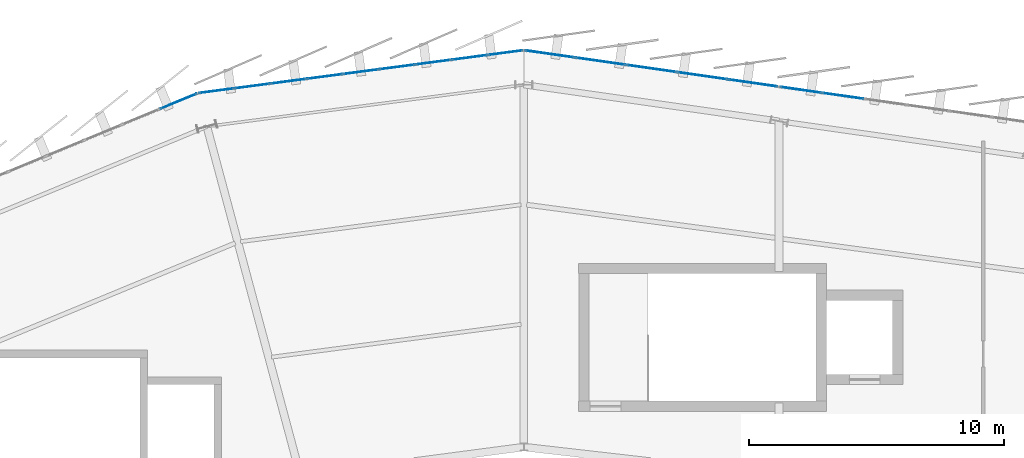
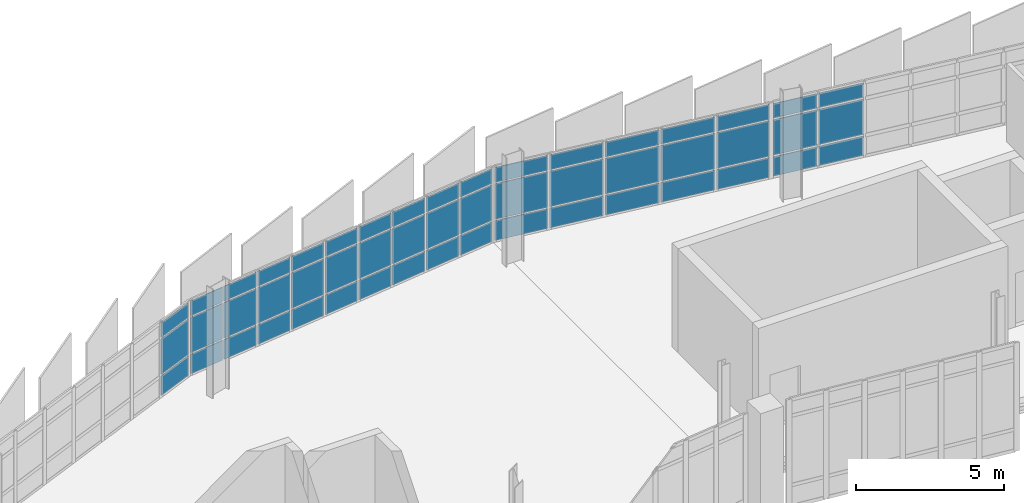
# One storey, part 56 of 67: 51 plates, 4 elements without a shape of their own.
"""IFC4 building model written with IfcOpenShell, lengths in metres."""

from ifc_helpers import new_model, si_unit, direction, frame, origin, origin_2d, place, context, subcontext, project, spatial, rectangle, extrude, material, layer, layer_set, type_object, element, aggregate, save


model = new_model("IFC4")

# Units and contexts
model_context = context("Model", 3, precision=1e-05, world=origin(), true_north=direction((0.0, 1.0)))
body_context = subcontext(model_context, "Body", "Model", "MODEL_VIEW")
ifc_project = project(units=[si_unit("LENGTHUNIT", "METRE"), si_unit("AREAUNIT", "SQUARE_METRE"), si_unit("VOLUMEUNIT", "CUBIC_METRE"), si_unit("PLANEANGLEUNIT", "RADIAN"), si_unit("MASSUNIT", "GRAM", prefix="KILO")], contexts=[model_context])

# Site, building, storey
site_placement = place(None, origin())
site = spatial("IfcSite", under=ifc_project, at=site_placement, CompositionType="ELEMENT")
building_placement = place(site_placement, origin())
building = spatial("IfcBuilding", under=site, at=building_placement, Name="Sohan Crest Arena", CompositionType="ELEMENT")
storey_placement = place(building_placement, frame((0.0, 0.0, 22.5)))
storey = spatial("IfcBuildingStorey", under=building, at=storey_placement, Name="L05", CompositionType="ELEMENT", Elevation=22.5)

# Curtain wall, plates
ifc_material_1 = material(Name="Thermally broken anodised aluminium", Category="aluminium")
ifc_layer_1 = layer(ifc_material_1, 0.179931640625, Name="Thermally broken anodised aluminium")
ifc_layer_set_1 = layer_set([ifc_layer_1], Name="Thermally broken anodised aluminium")
curtain_wall_type_1 = type_object("IfcCurtainWallType", Name="ARC-CW01", PredefinedType="NOTDEFINED", material=ifc_layer_set_1)
curtain_wall_1_placement = place(storey_placement, origin())
curtain_wall_1 = element("IfcCurtainWall", 1, at=curtain_wall_1_placement, inside=storey, type_object=curtain_wall_type_1, Name="Unitised curtain wall CW-146", PredefinedType="NOTDEFINED")
ifc_material_2 = material(Name="Low-E double-glazed insulated glass", Category="glass")
ifc_layer_2 = layer(ifc_material_2, 0.028076171875, Name="Low-E double-glazed insulated glass")
ifc_layer_set_2 = layer_set([ifc_layer_2], Name="Low-E double-glazed insulated glass")
plate_type_1 = type_object("IfcPlateType", Name="ARC-CNP01", PredefinedType="CURTAIN_PANEL", material=ifc_layer_set_2)
plate_1_placement = place(storey_placement, frame((97.275634765625, 127.254638671875, 0.06005859375), z_axis=(0.0, 0.0, 1.0), x_axis=(-0.991440816386, -0.130556913275, 0.0)))
plate_1 = element("IfcPlate", 2, at=plate_1_placement, type_object=plate_type_1, Name="CW-146 panel 1.1", PredefinedType="CURTAIN_PANEL", context=body_context, shape_type="SweptSolid", body=[
    extrude(rectangle(XDim=1.341552734375, YDim=0.028076171875, at=origin_2d()), origin(), (0.0, 0.0, 1.0), 0.81005859375),
])
plate_2_placement = place(storey_placement, frame((97.275634765625, 127.254638671875, 0.929931640625), z_axis=(0.0, 0.0, 1.0), x_axis=(-0.991440816386, -0.130556913275, 0.0)))
plate_2 = element("IfcPlate", 3, at=plate_2_placement, type_object=plate_type_1, Name="CW-146 panel 1.2", PredefinedType="CURTAIN_PANEL", context=body_context, shape_type="SweptSolid", body=[
    extrude(rectangle(XDim=1.341552734375, YDim=0.028076171875, at=origin_2d()), origin(), (0.0, 0.0, 1.0), 1.4599609375),
])
plate_3_placement = place(storey_placement, frame((97.275634765625, 127.254638671875, 2.44970703125), z_axis=(0.0, 0.0, 1.0), x_axis=(-0.991440816386, -0.130556913275, 0.0)))
plate_3 = element("IfcPlate", 4, at=plate_3_placement, type_object=plate_type_1, Name="CW-146 panel 1.3", PredefinedType="CURTAIN_PANEL", context=body_context, shape_type="SweptSolid", body=[
    extrude(rectangle(XDim=1.341552734375, YDim=0.028076171875, at=origin_2d()), origin(), (0.0, 0.0, 1.0), 0.610107421875),
])
plate_4_placement = place(storey_placement, frame((95.87109375, 127.069580078125, 0.06005859375), z_axis=(0.0, 0.0, 1.0), x_axis=(-0.991440816386, -0.130556913275, 0.0)))
plate_4 = element("IfcPlate", 5, at=plate_4_placement, type_object=plate_type_1, Name="CW-146 panel 2.1", PredefinedType="CURTAIN_PANEL", context=body_context, shape_type="SweptSolid", body=[
    extrude(rectangle(XDim=1.37158203125, YDim=0.028076171875, at=origin_2d()), origin(), (0.0, 0.0, 1.0), 0.81005859375),
])
plate_5_placement = place(storey_placement, frame((95.87109375, 127.069580078125, 0.929931640625), z_axis=(0.0, 0.0, 1.0), x_axis=(-0.991440816386, -0.130556913275, 0.0)))
plate_5 = element("IfcPlate", 6, at=plate_5_placement, type_object=plate_type_1, Name="CW-146 panel 2.2", PredefinedType="CURTAIN_PANEL", context=body_context, shape_type="SweptSolid", body=[
    extrude(rectangle(XDim=1.37158203125, YDim=0.028076171875, at=origin_2d()), origin(), (0.0, 0.0, 1.0), 1.4599609375),
])
plate_6_placement = place(storey_placement, frame((95.87109375, 127.069580078125, 2.44970703125), z_axis=(0.0, 0.0, 1.0), x_axis=(-0.991440816386, -0.130556913275, 0.0)))
plate_6 = element("IfcPlate", 7, at=plate_6_placement, type_object=plate_type_1, Name="CW-146 panel 2.3", PredefinedType="CURTAIN_PANEL", context=body_context, shape_type="SweptSolid", body=[
    extrude(rectangle(XDim=1.37158203125, YDim=0.028076171875, at=origin_2d()), origin(), (0.0, 0.0, 1.0), 0.610107421875),
])
plate_7_placement = place(storey_placement, frame((94.451904296875, 126.8828125, 0.06005859375), z_axis=(0.0, 0.0, 1.0), x_axis=(-0.991440816386, -0.130556913275, 0.0)))
plate_7 = element("IfcPlate", 8, at=plate_7_placement, type_object=plate_type_1, Name="CW-146 panel 3.1", PredefinedType="CURTAIN_PANEL", context=body_context, shape_type="SweptSolid", body=[
    extrude(rectangle(XDim=1.37158203125, YDim=0.028076171875, at=origin_2d()), origin(), (0.0, 0.0, 1.0), 0.81005859375),
])
plate_8_placement = place(storey_placement, frame((94.451904296875, 126.8828125, 0.929931640625), z_axis=(0.0, 0.0, 1.0), x_axis=(-0.991440816386, -0.130556913275, 0.0)))
plate_8 = element("IfcPlate", 9, at=plate_8_placement, type_object=plate_type_1, Name="CW-146 panel 3.2", PredefinedType="CURTAIN_PANEL", context=body_context, shape_type="SweptSolid", body=[
    extrude(rectangle(XDim=1.37158203125, YDim=0.028076171875, at=origin_2d()), origin(), (0.0, 0.0, 1.0), 1.4599609375),
])
plate_9_placement = place(storey_placement, frame((94.451904296875, 126.8828125, 2.44970703125), z_axis=(0.0, 0.0, 1.0), x_axis=(-0.991440816386, -0.130556913275, 0.0)))
plate_9 = element("IfcPlate", 10, at=plate_9_placement, type_object=plate_type_1, Name="CW-146 panel 3.3", PredefinedType="CURTAIN_PANEL", context=body_context, shape_type="SweptSolid", body=[
    extrude(rectangle(XDim=1.37158203125, YDim=0.028076171875, at=origin_2d()), origin(), (0.0, 0.0, 1.0), 0.610107421875),
])
plate_10_placement = place(storey_placement, frame((93.03271484375, 126.69580078125, 0.06005859375), z_axis=(0.0, 0.0, 1.0), x_axis=(-0.991440816386, -0.130556913275, 0.0)))
plate_10 = element("IfcPlate", 11, at=plate_10_placement, type_object=plate_type_1, Name="CW-146 panel 4.1", PredefinedType="CURTAIN_PANEL", context=body_context, shape_type="SweptSolid", body=[
    extrude(rectangle(XDim=1.37158203125, YDim=0.028076171875, at=origin_2d()), origin(), (0.0, 0.0, 1.0), 0.81005859375),
])
plate_11_placement = place(storey_placement, frame((93.03271484375, 126.69580078125, 0.929931640625), z_axis=(0.0, 0.0, 1.0), x_axis=(-0.991440816386, -0.130556913275, 0.0)))
plate_11 = element("IfcPlate", 12, at=plate_11_placement, type_object=plate_type_1, Name="CW-146 panel 4.2", PredefinedType="CURTAIN_PANEL", context=body_context, shape_type="SweptSolid", body=[
    extrude(rectangle(XDim=1.37158203125, YDim=0.028076171875, at=origin_2d()), origin(), (0.0, 0.0, 1.0), 1.4599609375),
])
plate_12_placement = place(storey_placement, frame((93.03271484375, 126.69580078125, 2.44970703125), z_axis=(0.0, 0.0, 1.0), x_axis=(-0.991440816386, -0.130556913275, 0.0)))
plate_12 = element("IfcPlate", 13, at=plate_12_placement, type_object=plate_type_1, Name="CW-146 panel 4.3", PredefinedType="CURTAIN_PANEL", context=body_context, shape_type="SweptSolid", body=[
    extrude(rectangle(XDim=1.37158203125, YDim=0.028076171875, at=origin_2d()), origin(), (0.0, 0.0, 1.0), 0.610107421875),
])
plate_13_placement = place(storey_placement, frame((91.613525390625, 126.509033203125, 0.06005859375), z_axis=(0.0, 0.0, 1.0), x_axis=(-0.991440816386, -0.130556913275, 0.0)))
plate_13 = element("IfcPlate", 14, at=plate_13_placement, type_object=plate_type_1, Name="CW-146 panel 5.1", PredefinedType="CURTAIN_PANEL", context=body_context, shape_type="SweptSolid", body=[
    extrude(rectangle(XDim=1.37158203125, YDim=0.028076171875, at=origin_2d()), origin(), (0.0, 0.0, 1.0), 0.81005859375),
])
plate_14_placement = place(storey_placement, frame((91.613525390625, 126.509033203125, 0.929931640625), z_axis=(0.0, 0.0, 1.0), x_axis=(-0.991440816386, -0.130556913275, 0.0)))
plate_14 = element("IfcPlate", 15, at=plate_14_placement, type_object=plate_type_1, Name="CW-146 panel 5.2", PredefinedType="CURTAIN_PANEL", context=body_context, shape_type="SweptSolid", body=[
    extrude(rectangle(XDim=1.37158203125, YDim=0.028076171875, at=origin_2d()), origin(), (0.0, 0.0, 1.0), 1.4599609375),
])
plate_15_placement = place(storey_placement, frame((91.613525390625, 126.509033203125, 2.44970703125), z_axis=(0.0, 0.0, 1.0), x_axis=(-0.991440816386, -0.130556913275, 0.0)))
plate_15 = element("IfcPlate", 16, at=plate_15_placement, type_object=plate_type_1, Name="CW-146 panel 5.3", PredefinedType="CURTAIN_PANEL", context=body_context, shape_type="SweptSolid", body=[
    extrude(rectangle(XDim=1.37158203125, YDim=0.028076171875, at=origin_2d()), origin(), (0.0, 0.0, 1.0), 0.610107421875),
])
plate_16_placement = place(storey_placement, frame((90.1943359375, 126.322021484375, 0.06005859375), z_axis=(0.0, 0.0, 1.0), x_axis=(-0.991440816386, -0.130556913275, 0.0)))
plate_16 = element("IfcPlate", 17, at=plate_16_placement, type_object=plate_type_1, Name="CW-146 panel 6.1", PredefinedType="CURTAIN_PANEL", context=body_context, shape_type="SweptSolid", body=[
    extrude(rectangle(XDim=1.37158203125, YDim=0.028076171875, at=origin_2d()), origin(), (0.0, 0.0, 1.0), 0.81005859375),
])
plate_17_placement = place(storey_placement, frame((90.1943359375, 126.322021484375, 0.929931640625), z_axis=(0.0, 0.0, 1.0), x_axis=(-0.991440816386, -0.130556913275, 0.0)))
plate_17 = element("IfcPlate", 18, at=plate_17_placement, type_object=plate_type_1, Name="CW-146 panel 6.2", PredefinedType="CURTAIN_PANEL", context=body_context, shape_type="SweptSolid", body=[
    extrude(rectangle(XDim=1.37158203125, YDim=0.028076171875, at=origin_2d()), origin(), (0.0, 0.0, 1.0), 1.4599609375),
])
plate_18_placement = place(storey_placement, frame((90.1943359375, 126.322021484375, 2.44970703125), z_axis=(0.0, 0.0, 1.0), x_axis=(-0.991440816386, -0.130556913275, 0.0)))
plate_18 = element("IfcPlate", 19, at=plate_18_placement, type_object=plate_type_1, Name="CW-146 panel 6.3", PredefinedType="CURTAIN_PANEL", context=body_context, shape_type="SweptSolid", body=[
    extrude(rectangle(XDim=1.37158203125, YDim=0.028076171875, at=origin_2d()), origin(), (0.0, 0.0, 1.0), 0.610107421875),
])
plate_19_placement = place(storey_placement, frame((88.775146484375, 126.13525390625, 0.06005859375), z_axis=(0.0, 0.0, 1.0), x_axis=(-0.991440816386, -0.130556913275, 0.0)))
plate_19 = element("IfcPlate", 20, at=plate_19_placement, type_object=plate_type_1, Name="CW-146 panel 7.1", PredefinedType="CURTAIN_PANEL", context=body_context, shape_type="SweptSolid", body=[
    extrude(rectangle(XDim=1.37158203125, YDim=0.028076171875, at=origin_2d()), origin(), (0.0, 0.0, 1.0), 0.81005859375),
])
plate_20_placement = place(storey_placement, frame((88.775146484375, 126.13525390625, 0.929931640625), z_axis=(0.0, 0.0, 1.0), x_axis=(-0.991440816386, -0.130556913275, 0.0)))
plate_20 = element("IfcPlate", 21, at=plate_20_placement, type_object=plate_type_1, Name="CW-146 panel 7.2", PredefinedType="CURTAIN_PANEL", context=body_context, shape_type="SweptSolid", body=[
    extrude(rectangle(XDim=1.37158203125, YDim=0.028076171875, at=origin_2d()), origin(), (0.0, 0.0, 1.0), 1.4599609375),
])
plate_21_placement = place(storey_placement, frame((88.775146484375, 126.13525390625, 2.44970703125), z_axis=(0.0, 0.0, 1.0), x_axis=(-0.991440816386, -0.130556913275, 0.0)))
plate_21 = element("IfcPlate", 22, at=plate_21_placement, type_object=plate_type_1, Name="CW-146 panel 7.3", PredefinedType="CURTAIN_PANEL", context=body_context, shape_type="SweptSolid", body=[
    extrude(rectangle(XDim=1.37158203125, YDim=0.028076171875, at=origin_2d()), origin(), (0.0, 0.0, 1.0), 0.610107421875),
])
plate_22_placement = place(storey_placement, frame((87.355712890625, 125.9482421875, 0.06005859375), z_axis=(0.0, 0.0, 1.0), x_axis=(-0.991440816386, -0.130556913275, 0.0)))
plate_22 = element("IfcPlate", 23, at=plate_22_placement, type_object=plate_type_1, Name="CW-146 panel 8.1", PredefinedType="CURTAIN_PANEL", context=body_context, shape_type="SweptSolid", body=[
    extrude(rectangle(XDim=1.37158203125, YDim=0.028076171875, at=origin_2d()), origin(), (0.0, 0.0, 1.0), 0.81005859375),
])
plate_23_placement = place(storey_placement, frame((87.355712890625, 125.9482421875, 0.929931640625), z_axis=(0.0, 0.0, 1.0), x_axis=(-0.991440816386, -0.130556913275, 0.0)))
plate_23 = element("IfcPlate", 24, at=plate_23_placement, type_object=plate_type_1, Name="CW-146 panel 8.2", PredefinedType="CURTAIN_PANEL", context=body_context, shape_type="SweptSolid", body=[
    extrude(rectangle(XDim=1.37158203125, YDim=0.028076171875, at=origin_2d()), origin(), (0.0, 0.0, 1.0), 1.4599609375),
])
plate_24_placement = place(storey_placement, frame((87.355712890625, 125.9482421875, 2.44970703125), z_axis=(0.0, 0.0, 1.0), x_axis=(-0.991440816386, -0.130556913275, 0.0)))
plate_24 = element("IfcPlate", 25, at=plate_24_placement, type_object=plate_type_1, Name="CW-146 panel 8.3", PredefinedType="CURTAIN_PANEL", context=body_context, shape_type="SweptSolid", body=[
    extrude(rectangle(XDim=1.37158203125, YDim=0.028076171875, at=origin_2d()), origin(), (0.0, 0.0, 1.0), 0.610107421875),
])
plate_25_placement = place(storey_placement, frame((85.951416015625, 125.763427734375, 0.06005859375), z_axis=(0.0, 0.0, 1.0), x_axis=(-0.991440816386, -0.130556913275, 0.0)))
plate_25 = element("IfcPlate", 26, at=plate_25_placement, type_object=plate_type_1, Name="CW-146 panel 9.1", PredefinedType="CURTAIN_PANEL", context=body_context, shape_type="SweptSolid", body=[
    extrude(rectangle(XDim=1.341552734375, YDim=0.028076171875, at=origin_2d()), origin(), (0.0, 0.0, 1.0), 0.81005859375),
])
plate_26_placement = place(storey_placement, frame((85.951416015625, 125.763427734375, 0.929931640625), z_axis=(0.0, 0.0, 1.0), x_axis=(-0.991440816386, -0.130556913275, 0.0)))
plate_26 = element("IfcPlate", 27, at=plate_26_placement, type_object=plate_type_1, Name="CW-146 panel 9.2", PredefinedType="CURTAIN_PANEL", context=body_context, shape_type="SweptSolid", body=[
    extrude(rectangle(XDim=1.341552734375, YDim=0.028076171875, at=origin_2d()), origin(), (0.0, 0.0, 1.0), 1.4599609375),
])
plate_27_placement = place(storey_placement, frame((85.951416015625, 125.763427734375, 2.44970703125), z_axis=(0.0, 0.0, 1.0), x_axis=(-0.991440816386, -0.130556913275, 0.0)))
plate_27 = element("IfcPlate", 28, at=plate_27_placement, type_object=plate_type_1, Name="CW-146 panel 9.3", PredefinedType="CURTAIN_PANEL", context=body_context, shape_type="SweptSolid", body=[
    extrude(rectangle(XDim=1.341552734375, YDim=0.028076171875, at=origin_2d()), origin(), (0.0, 0.0, 1.0), 0.610107421875),
])
aggregate(curtain_wall_1, [plate_1, plate_2, plate_3, plate_4, plate_5, plate_6, plate_7, plate_8, plate_9, plate_10, plate_11, plate_12, plate_13, plate_14, plate_15, plate_16, plate_17, plate_18, plate_19, plate_20, plate_21, plate_22, plate_23, plate_24, plate_25, plate_26, plate_27])

ifc_layer_3 = layer(ifc_material_1, 0.219970703125, Name="Thermally broken anodised aluminium")
ifc_layer_set_3 = layer_set([ifc_layer_3], Name="Thermally broken anodised aluminium")
curtain_wall_type_2 = type_object("IfcCurtainWallType", Name="ARC-CW03", PredefinedType="NOTDEFINED", material=ifc_layer_set_3)
curtain_wall_2_placement = place(storey_placement, origin())
curtain_wall_2 = element("IfcCurtainWall", 29, at=curtain_wall_2_placement, inside=storey, type_object=curtain_wall_type_2, Name="Unitised curtain wall CW-162", PredefinedType="NOTDEFINED")
plate_28_placement = place(storey_placement, frame((110.5, 125.56396484375, 0.070068359375), z_axis=(0.0, 0.0, 1.0), x_axis=(-0.989957411768, 0.141365918403, 0.0)))
plate_28 = element("IfcPlate", 30, at=plate_28_placement, type_object=plate_type_1, Name="CW-162 panel 5.1", PredefinedType="CURTAIN_PANEL", context=body_context, shape_type="SweptSolid", body=[
    extrude(rectangle(XDim=1.62353515625, YDim=0.028076171875, at=origin_2d()), origin(), (0.0, 0.0, 1.0), 0.794921875),
])
plate_29_placement = place(storey_placement, frame((110.5, 125.56396484375, 0.93505859375), z_axis=(0.0, 0.0, 1.0), x_axis=(-0.989957411768, 0.141365918403, 0.0)))
plate_29 = element("IfcPlate", 31, at=plate_29_placement, type_object=plate_type_1, Name="CW-162 panel 5.2", PredefinedType="CURTAIN_PANEL", context=body_context, shape_type="SweptSolid", body=[
    extrude(rectangle(XDim=1.62353515625, YDim=0.028076171875, at=origin_2d()), origin(), (0.0, 0.0, 1.0), 1.449951171875),
])
plate_30_placement = place(storey_placement, frame((110.5, 125.56396484375, 2.455078125), z_axis=(0.0, 0.0, 1.0), x_axis=(-0.989957411768, 0.141365918403, 0.0)))
plate_30 = element("IfcPlate", 32, at=plate_30_placement, type_object=plate_type_1, Name="CW-162 panel 5.3", PredefinedType="CURTAIN_PANEL", context=body_context, shape_type="SweptSolid", body=[
    extrude(rectangle(XDim=1.62353515625, YDim=0.028076171875, at=origin_2d()), origin(), (0.0, 0.0, 1.0), 0.594970703125),
])
plate_31_placement = place(storey_placement, frame((108.84814453125, 125.7998046875, 0.070068359375), z_axis=(0.0, 0.0, 1.0), x_axis=(-0.989957411768, 0.141365918403, 0.0)))
plate_31 = element("IfcPlate", 33, at=plate_31_placement, type_object=plate_type_1, Name="CW-162 panel 6.1", PredefinedType="CURTAIN_PANEL", context=body_context, shape_type="SweptSolid", body=[
    extrude(rectangle(XDim=1.593505859375, YDim=0.028076171875, at=origin_2d()), origin(), (0.0, 0.0, 1.0), 0.794921875),
])
plate_32_placement = place(storey_placement, frame((108.84814453125, 125.7998046875, 0.93505859375), z_axis=(0.0, 0.0, 1.0), x_axis=(-0.989957411768, 0.141365918403, 0.0)))
plate_32 = element("IfcPlate", 34, at=plate_32_placement, type_object=plate_type_1, Name="CW-162 panel 6.2", PredefinedType="CURTAIN_PANEL", context=body_context, shape_type="SweptSolid", body=[
    extrude(rectangle(XDim=1.593505859375, YDim=0.028076171875, at=origin_2d()), origin(), (0.0, 0.0, 1.0), 1.449951171875),
])
plate_33_placement = place(storey_placement, frame((108.84814453125, 125.7998046875, 2.455078125), z_axis=(0.0, 0.0, 1.0), x_axis=(-0.989957411768, 0.141365918403, 0.0)))
plate_33 = element("IfcPlate", 35, at=plate_33_placement, type_object=plate_type_1, Name="CW-162 panel 6.3", PredefinedType="CURTAIN_PANEL", context=body_context, shape_type="SweptSolid", body=[
    extrude(rectangle(XDim=1.593505859375, YDim=0.028076171875, at=origin_2d()), origin(), (0.0, 0.0, 1.0), 0.594970703125),
])
aggregate(curtain_wall_2, [plate_28, plate_29, plate_30, plate_31, plate_32, plate_33])

ifc_layer_4 = layer(ifc_material_1, 0.199951171875, Name="Thermally broken anodised aluminium")
ifc_layer_set_4 = layer_set([ifc_layer_4], Name="Thermally broken anodised aluminium")
curtain_wall_type_3 = type_object("IfcCurtainWallType", Name="ARC-CW02", PredefinedType="NOTDEFINED", material=ifc_layer_set_4)
curtain_wall_3_placement = place(storey_placement, origin())
curtain_wall_3 = element("IfcCurtainWall", 36, at=curtain_wall_3_placement, inside=storey, type_object=curtain_wall_type_3, Name="Unitised curtain wall CW-147", PredefinedType="NOTDEFINED")
ifc_layer_5 = layer(ifc_material_2, 0.031982421875, Name="Low-E double-glazed insulated glass")
ifc_layer_set_5 = layer_set([ifc_layer_5], Name="Low-E double-glazed insulated glass")
plate_type_2 = type_object("IfcPlateType", Name="ARC-CNP02", PredefinedType="CURTAIN_PANEL", material=ifc_layer_set_5)
plate_34_placement = place(storey_placement, frame((84.468017578125, 125.353759765625, 0.06494140625), z_axis=(0.0, 0.0, 1.0), x_axis=(-0.923878704229, -0.382685432009, 0.0)))
plate_34 = element("IfcPlate", 37, at=plate_34_placement, type_object=plate_type_2, Name="CW-147 panel 1.1", PredefinedType="CURTAIN_PANEL", context=body_context, shape_type="SweptSolid", body=[
    extrude(rectangle(XDim=1.512939453125, YDim=0.031982421875, at=origin_2d()), origin(), (0.0, 0.0, 1.0), 0.802490234375),
])
plate_35_placement = place(storey_placement, frame((84.468017578125, 125.353759765625, 0.932373046875), z_axis=(0.0, 0.0, 1.0), x_axis=(-0.923878704229, -0.382685432009, 0.0)))
plate_35 = element("IfcPlate", 38, at=plate_35_placement, type_object=plate_type_2, Name="CW-147 panel 1.2", PredefinedType="CURTAIN_PANEL", context=body_context, shape_type="SweptSolid", body=[
    extrude(rectangle(XDim=1.512939453125, YDim=0.031982421875, at=origin_2d()), origin(), (0.0, 0.0, 1.0), 1.455078125),
])
plate_36_placement = place(storey_placement, frame((84.468017578125, 125.353759765625, 2.452392578125), z_axis=(0.0, 0.0, 1.0), x_axis=(-0.923878704229, -0.382685432009, 0.0)))
plate_36 = element("IfcPlate", 39, at=plate_36_placement, type_object=plate_type_2, Name="CW-147 panel 1.3", PredefinedType="CURTAIN_PANEL", context=body_context, shape_type="SweptSolid", body=[
    extrude(rectangle(XDim=1.512939453125, YDim=0.031982421875, at=origin_2d()), origin(), (0.0, 0.0, 1.0), 0.6025390625),
])
aggregate(curtain_wall_3, [plate_34, plate_35, plate_36])

ifc_layer_6 = layer(ifc_material_1, 0.239990234375, Name="Thermally broken anodised aluminium")
ifc_layer_set_6 = layer_set([ifc_layer_6], Name="Thermally broken anodised aluminium")
curtain_wall_type_4 = type_object("IfcCurtainWallType", Name="ARC-CW04", PredefinedType="NOTDEFINED", material=ifc_layer_set_6)
curtain_wall_4_placement = place(storey_placement, origin())
curtain_wall_4 = element("IfcCurtainWall", 40, at=curtain_wall_4_placement, inside=storey, type_object=curtain_wall_type_4, Name="Unitised curtain wall CW-163", PredefinedType="NOTDEFINED")
plate_37_placement = place(storey_placement, frame((106.98388671875, 126.066162109375, 0.06005859375), z_axis=(0.0, 0.0, 1.0), x_axis=(-0.989943553128, 0.141462933734, 0.0)))
plate_37 = element("IfcPlate", 41, at=plate_37_placement, type_object=plate_type_2, Name="CW-163 panel 1.1", PredefinedType="CURTAIN_PANEL", context=body_context, shape_type="SweptSolid", body=[
    extrude(rectangle(XDim=1.9228515625, YDim=0.031982421875, at=origin_2d()), origin(), (0.0, 0.0, 1.0), 0.81005859375),
])
plate_38_placement = place(storey_placement, frame((106.98388671875, 126.066162109375, 0.929931640625), z_axis=(0.0, 0.0, 1.0), x_axis=(-0.989943553128, 0.141462933734, 0.0)))
plate_38 = element("IfcPlate", 42, at=plate_38_placement, type_object=plate_type_2, Name="CW-163 panel 1.2", PredefinedType="CURTAIN_PANEL", context=body_context, shape_type="SweptSolid", body=[
    extrude(rectangle(XDim=1.9228515625, YDim=0.031982421875, at=origin_2d()), origin(), (0.0, 0.0, 1.0), 1.4599609375),
])
plate_39_placement = place(storey_placement, frame((106.98388671875, 126.066162109375, 2.44970703125), z_axis=(0.0, 0.0, 1.0), x_axis=(-0.989943553128, 0.141462933734, 0.0)))
plate_39 = element("IfcPlate", 43, at=plate_39_placement, type_object=plate_type_2, Name="CW-163 panel 1.3", PredefinedType="CURTAIN_PANEL", context=body_context, shape_type="SweptSolid", body=[
    extrude(rectangle(XDim=1.9228515625, YDim=0.031982421875, at=origin_2d()), origin(), (0.0, 0.0, 1.0), 0.610107421875),
])
plate_40_placement = place(storey_placement, frame((105.0, 126.349609375, 0.06005859375), z_axis=(0.0, 0.0, 1.0), x_axis=(-0.989943553128, 0.141462933734, 0.0)))
plate_40 = element("IfcPlate", 44, at=plate_40_placement, type_object=plate_type_2, Name="CW-163 panel 2.1", PredefinedType="CURTAIN_PANEL", context=body_context, shape_type="SweptSolid", body=[
    extrude(rectangle(XDim=1.955322265625, YDim=0.031982421875, at=origin_2d()), origin(), (0.0, 0.0, 1.0), 0.81005859375),
])
plate_41_placement = place(storey_placement, frame((105.0, 126.349609375, 0.929931640625), z_axis=(0.0, 0.0, 1.0), x_axis=(-0.989943553128, 0.141462933734, 0.0)))
plate_41 = element("IfcPlate", 45, at=plate_41_placement, type_object=plate_type_2, Name="CW-163 panel 2.2", PredefinedType="CURTAIN_PANEL", context=body_context, shape_type="SweptSolid", body=[
    extrude(rectangle(XDim=1.955322265625, YDim=0.031982421875, at=origin_2d()), origin(), (0.0, 0.0, 1.0), 1.4599609375),
])
plate_42_placement = place(storey_placement, frame((105.0, 126.349609375, 2.44970703125), z_axis=(0.0, 0.0, 1.0), x_axis=(-0.989943553128, 0.141462933734, 0.0)))
plate_42 = element("IfcPlate", 46, at=plate_42_placement, type_object=plate_type_2, Name="CW-163 panel 2.3", PredefinedType="CURTAIN_PANEL", context=body_context, shape_type="SweptSolid", body=[
    extrude(rectangle(XDim=1.955322265625, YDim=0.031982421875, at=origin_2d()), origin(), (0.0, 0.0, 1.0), 0.610107421875),
])
plate_43_placement = place(storey_placement, frame((103.0, 126.635498046875, 0.06005859375), z_axis=(0.0, 0.0, 1.0), x_axis=(-0.989943553128, 0.141462933734, 0.0)))
plate_43 = element("IfcPlate", 47, at=plate_43_placement, type_object=plate_type_2, Name="CW-163 panel 3.1", PredefinedType="CURTAIN_PANEL", context=body_context, shape_type="SweptSolid", body=[
    extrude(rectangle(XDim=1.955322265625, YDim=0.031982421875, at=origin_2d()), origin(), (0.0, 0.0, 1.0), 0.81005859375),
])
plate_44_placement = place(storey_placement, frame((103.0, 126.635498046875, 0.929931640625), z_axis=(0.0, 0.0, 1.0), x_axis=(-0.989943553128, 0.141462933734, 0.0)))
plate_44 = element("IfcPlate", 48, at=plate_44_placement, type_object=plate_type_2, Name="CW-163 panel 3.2", PredefinedType="CURTAIN_PANEL", context=body_context, shape_type="SweptSolid", body=[
    extrude(rectangle(XDim=1.955322265625, YDim=0.031982421875, at=origin_2d()), origin(), (0.0, 0.0, 1.0), 1.4599609375),
])
plate_45_placement = place(storey_placement, frame((103.0, 126.635498046875, 2.44970703125), z_axis=(0.0, 0.0, 1.0), x_axis=(-0.989943553128, 0.141462933734, 0.0)))
plate_45 = element("IfcPlate", 49, at=plate_45_placement, type_object=plate_type_2, Name="CW-163 panel 3.3", PredefinedType="CURTAIN_PANEL", context=body_context, shape_type="SweptSolid", body=[
    extrude(rectangle(XDim=1.955322265625, YDim=0.031982421875, at=origin_2d()), origin(), (0.0, 0.0, 1.0), 0.610107421875),
])
plate_46_placement = place(storey_placement, frame((101.0, 126.92138671875, 0.06005859375), z_axis=(0.0, 0.0, 1.0), x_axis=(-0.989943553128, 0.141462933734, 0.0)))
plate_46 = element("IfcPlate", 50, at=plate_46_placement, type_object=plate_type_2, Name="CW-163 panel 4.1", PredefinedType="CURTAIN_PANEL", context=body_context, shape_type="SweptSolid", body=[
    extrude(rectangle(XDim=1.955322265625, YDim=0.031982421875, at=origin_2d()), origin(), (0.0, 0.0, 1.0), 0.81005859375),
])
plate_47_placement = place(storey_placement, frame((101.0, 126.92138671875, 0.929931640625), z_axis=(0.0, 0.0, 1.0), x_axis=(-0.989943553128, 0.141462933734, 0.0)))
plate_47 = element("IfcPlate", 51, at=plate_47_placement, type_object=plate_type_2, Name="CW-163 panel 4.2", PredefinedType="CURTAIN_PANEL", context=body_context, shape_type="SweptSolid", body=[
    extrude(rectangle(XDim=1.955322265625, YDim=0.031982421875, at=origin_2d()), origin(), (0.0, 0.0, 1.0), 1.4599609375),
])
plate_48_placement = place(storey_placement, frame((101.0, 126.92138671875, 2.44970703125), z_axis=(0.0, 0.0, 1.0), x_axis=(-0.989943553128, 0.141462933734, 0.0)))
plate_48 = element("IfcPlate", 52, at=plate_48_placement, type_object=plate_type_2, Name="CW-163 panel 4.3", PredefinedType="CURTAIN_PANEL", context=body_context, shape_type="SweptSolid", body=[
    extrude(rectangle(XDim=1.955322265625, YDim=0.031982421875, at=origin_2d()), origin(), (0.0, 0.0, 1.0), 0.610107421875),
])
plate_49_placement = place(storey_placement, frame((99.01611328125, 127.204833984375, 0.06005859375), z_axis=(0.0, 0.0, 1.0), x_axis=(-0.989943553128, 0.141462933734, 0.0)))
plate_49 = element("IfcPlate", 53, at=plate_49_placement, type_object=plate_type_2, Name="CW-163 panel 5.1", PredefinedType="CURTAIN_PANEL", context=body_context, shape_type="SweptSolid", body=[
    extrude(rectangle(XDim=1.9228515625, YDim=0.031982421875, at=origin_2d()), origin(), (0.0, 0.0, 1.0), 0.81005859375),
])
plate_50_placement = place(storey_placement, frame((99.01611328125, 127.204833984375, 0.929931640625), z_axis=(0.0, 0.0, 1.0), x_axis=(-0.989943553128, 0.141462933734, 0.0)))
plate_50 = element("IfcPlate", 54, at=plate_50_placement, type_object=plate_type_2, Name="CW-163 panel 5.2", PredefinedType="CURTAIN_PANEL", context=body_context, shape_type="SweptSolid", body=[
    extrude(rectangle(XDim=1.9228515625, YDim=0.031982421875, at=origin_2d()), origin(), (0.0, 0.0, 1.0), 1.4599609375),
])
plate_51_placement = place(storey_placement, frame((99.01611328125, 127.204833984375, 2.44970703125), z_axis=(0.0, 0.0, 1.0), x_axis=(-0.989943553128, 0.141462933734, 0.0)))
plate_51 = element("IfcPlate", 55, at=plate_51_placement, type_object=plate_type_2, Name="CW-163 panel 5.3", PredefinedType="CURTAIN_PANEL", context=body_context, shape_type="SweptSolid", body=[
    extrude(rectangle(XDim=1.9228515625, YDim=0.031982421875, at=origin_2d()), origin(), (0.0, 0.0, 1.0), 0.610107421875),
])
aggregate(curtain_wall_4, [plate_37, plate_38, plate_39, plate_40, plate_41, plate_42, plate_43, plate_44, plate_45, plate_46, plate_47, plate_48, plate_49, plate_50, plate_51])

save(model, "model.ifc")
